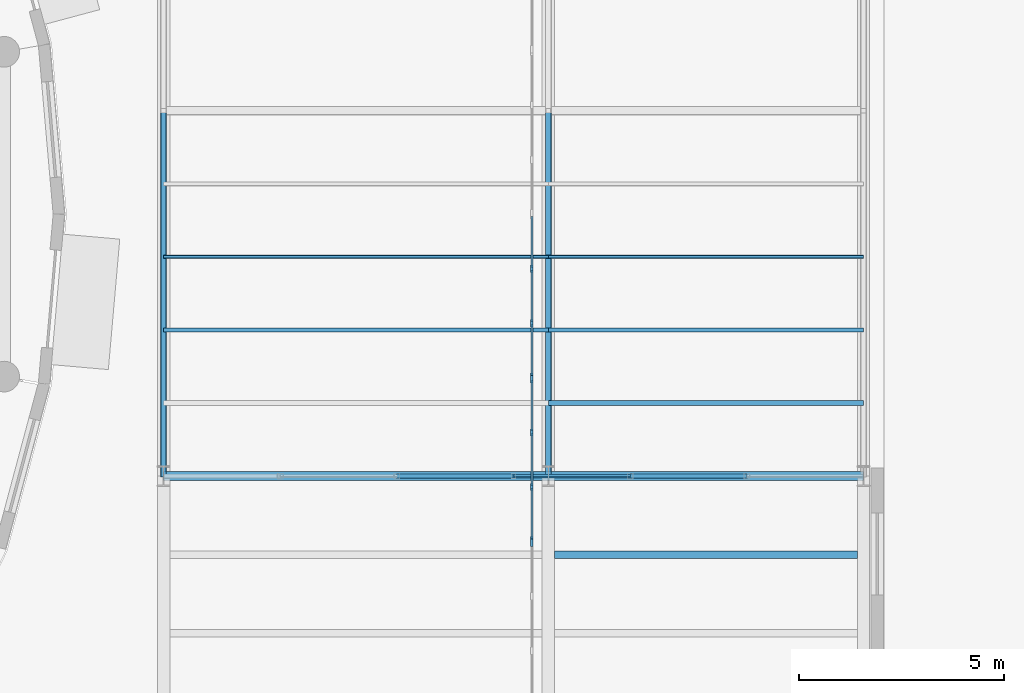
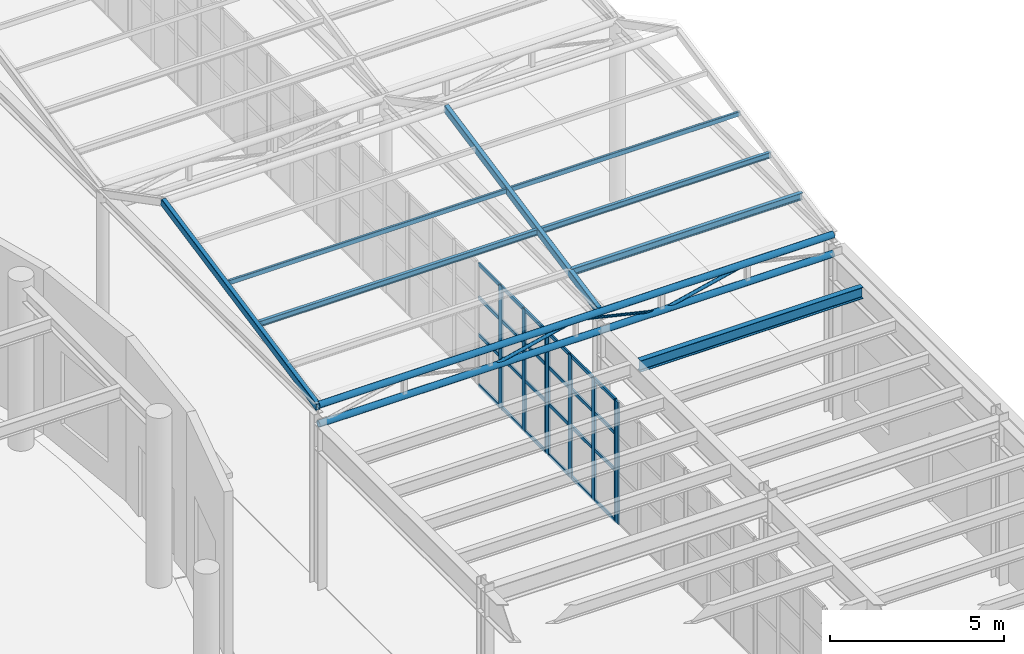
# One storey, part 39 of 118: 44 members, 1 beam, 3 elements without a shape of their own.
"""IFC4 building model written with IfcOpenShell, lengths in metres."""

from ifc_helpers import new_model, si_unit, direction, frame, origin, origin_2d, place, context, subcontext, project, spatial, rectangle, hollow_rectangle, hollow_circle, i_section, extrude, material, material_profile, profile_set, type_object, element, aggregate, save


model = new_model("IFC4")

# Units and contexts
model_context = context("Model", 3, precision=1e-05, world=origin(), true_north=direction((0.0, 1.0)))
body_context = subcontext(model_context, "Body", "Model", "MODEL_VIEW")
ifc_project = project(units=[si_unit("LENGTHUNIT", "METRE"), si_unit("AREAUNIT", "SQUARE_METRE"), si_unit("VOLUMEUNIT", "CUBIC_METRE"), si_unit("PLANEANGLEUNIT", "RADIAN"), si_unit("MASSUNIT", "GRAM", prefix="KILO")], contexts=[model_context])

# Site, building, storey
site_placement = place(None, origin())
site = spatial("IfcSite", under=ifc_project, at=site_placement, CompositionType="ELEMENT")
building_placement = place(site_placement, origin())
building = spatial("IfcBuilding", under=site, at=building_placement, Name="Kolvaren Corner Interchange", CompositionType="ELEMENT")
storey_placement = place(building_placement, origin())
storey = spatial("IfcBuildingStorey", under=building, at=storey_placement, Name="L01", CompositionType="ELEMENT", Elevation=0.0)

# Beam
ifc_material_1 = material(Name="Steel S355", Category="steel")
ifc_material_profile_1 = material_profile(ifc_material_1, i_section(OverallWidth=0.179931640625, OverallDepth=0.39990234375, WebThickness=0.008544921875, FlangeThickness=0.013427734375, FilletRadius=0.02099609375, at=origin_2d()), Name="IPE 400")
ifc_profile_set_1 = profile_set([ifc_material_profile_1], Name="Steel S355")
beam_type = type_object("IfcBeamType", Name="JS-IPE400", PredefinedType="JOIST", material=ifc_profile_set_1)
beam_placement = place(storey_placement, frame((155.949951171875, 39.679931640625, 5.5400390625), z_axis=(1.0, 0.0, 0.0), x_axis=(0.0, 1.0, 0.0)))
element("IfcBeam", 1, at=beam_placement, inside=storey, type_object=beam_type, Name="Storey L01 Composite Floor Joist 0530", PredefinedType="JOIST", context=body_context, shape_type="SweptSolid", body=[
    extrude(i_section(OverallWidth=0.179931640625, OverallDepth=0.39990234375, WebThickness=0.008544921875, FlangeThickness=0.013427734375, FilletRadius=0.02099609375, at=origin_2d()), origin(), (0.0, 0.0, 1.0), 7.400146484375),
])

# Members
ifc_material_2 = material(Name="Steel S355", Category="steel")
ifc_material_profile_2 = material_profile(ifc_material_2, hollow_circle(Radius=0.05712890625, WallThickness=0.00634765625, at=origin_2d()), Name="CHS 114.3x6.3")
ifc_profile_set_2 = profile_set([ifc_material_profile_2], Name="Steel S355")
member_type_1 = type_object("IfcMemberType", Name="MEM-BR-CHS114", PredefinedType="BRACE", material=ifc_profile_set_2)
for number, where, z_axis, x_axis, name in (
    (2, (152.10009765625, 41.60009765625, 5.64990234375), (0.973446689574, 0.0, 0.228913832167), (0.0, 1.0, 0.0), "Bus Canopy Sawtooth Roof Truss 01 Web Diagonal 03"),
    (3, (157.800048828125, 41.60009765625, 5.64990234375), (0.973446689574, 0.0, 0.228913832167), (0.0, 1.0, 0.0), "Bus Canopy Sawtooth Roof Truss 01 Web Diagonal 05"),
):
    element("IfcMember", number, at=place(storey_placement, frame(where, z_axis=z_axis, x_axis=x_axis)), inside=storey, type_object=member_type_1, Name=name, PredefinedType="BRACE", context=body_context, shape_type="SweptSolid", body=[
        extrude(hollow_circle(Radius=0.05712890625, WallThickness=0.00634765625, at=origin_2d()), origin(), (0.0, 0.0, 1.0), 2.927490234375),
    ])
ifc_material_3 = material(Name="Steel S355", Category="steel")
ifc_material_profile_3 = material_profile(ifc_material_3, hollow_circle(Radius=0.04443359375, WallThickness=0.0048828125, at=origin_2d()), Name="CHS 88.9x5.0")
ifc_profile_set_3 = profile_set([ifc_material_profile_3], Name="Steel S355")
member_type_2 = type_object("IfcMemberType", Name="MEM-BR-CHS89", PredefinedType="BRACE", material=ifc_profile_set_3)
member_1_placement = place(storey_placement, frame((154.949951171875, 41.60009765625, 6.320068359375), z_axis=(0.973451058965, 0.0, -0.228895250716), x_axis=(0.0, 1.0, 0.0)))
element("IfcMember", 4, at=member_1_placement, inside=storey, type_object=member_type_2, Name="Bus Canopy Sawtooth Roof Truss 01 Web Diagonal 04", PredefinedType="BRACE", context=body_context, shape_type="SweptSolid", body=[
    extrude(hollow_circle(Radius=0.04443359375, WallThickness=0.0048828125, at=origin_2d()), origin(), (0.0, 0.0, 1.0), 2.927734375),
])
ifc_material_4 = material(Name="Steel S355", Category="steel")
ifc_material_profile_4 = material_profile(ifc_material_4, hollow_circle(Radius=0.109619140625, WallThickness=0.010009765625, at=origin_2d()), Name="CHS 219.1x10.0")
ifc_profile_set_4 = profile_set([ifc_material_profile_4], Name="Steel S355")
member_type_3 = type_object("IfcMemberType", Name="MEM-CH-CHS219", PredefinedType="CHORD", material=ifc_profile_set_4)
for number, where, z_axis, x_axis, name in (
    (5, (146.39990234375, 41.60009765625, 5.64990234375), (1.0, 0.0, 0.0), (0.0, 1.0, 0.0), "Bus Canopy Sawtooth Roof Truss 01 Bottom Chord"),
    (6, (146.39990234375, 41.60009765625, 6.320068359375), (1.0, 0.0, 0.0), (0.0, 1.0, 0.0), "Bus Canopy Sawtooth Roof Truss 01 Top Chord"),
):
    element("IfcMember", number, at=place(storey_placement, frame(where, z_axis=z_axis, x_axis=x_axis)), inside=storey, type_object=member_type_3, Name=name, PredefinedType="CHORD", context=body_context, shape_type="SweptSolid", body=[
        extrude(hollow_circle(Radius=0.109619140625, WallThickness=0.010009765625, at=origin_2d()), origin(), (0.0, 0.0, 1.0), 17.10009765625),
    ])
ifc_material_5 = material(Name="Steel S355", Category="steel")
ifc_material_profile_5 = material_profile(ifc_material_5, i_section(OverallWidth=0.10009765625, OverallDepth=0.199951171875, WebThickness=0.005615234375, FlangeThickness=0.008544921875, FilletRadius=0.011962890625, at=origin_2d()), Name="IPE 200")
ifc_profile_set_5 = profile_set([ifc_material_profile_5], Name="Steel S355")
member_type_4 = type_object("IfcMemberType", Name="MEM-PR-IPE200", PredefinedType="PURLIN", material=ifc_profile_set_5)
member_2_placement = place(storey_placement, frame((146.39990234375, 45.171142578125, 6.97998046875), z_axis=(1.0, 0.0, 0.0), x_axis=(0.0, 1.0, 0.0)))
element("IfcMember", 7, at=member_2_placement, inside=storey, type_object=member_type_4, Name="Bus Canopy Sawtooth Purlin 01 Row 2 Bay 146", PredefinedType="PURLIN", context=body_context, shape_type="SweptSolid", body=[
    extrude(i_section(OverallWidth=0.10009765625, OverallDepth=0.199951171875, WebThickness=0.005615234375, FlangeThickness=0.008544921875, FilletRadius=0.011962890625, at=origin_2d()), origin(), (0.0, 0.0, 1.0), 9.400146484375),
])
member_3_placement = place(storey_placement, frame((155.800048828125, 45.171142578125, 6.97998046875), z_axis=(1.0, 0.0, 0.0), x_axis=(0.0, 1.0, 0.0)))
element("IfcMember", 8, at=member_3_placement, inside=storey, type_object=member_type_4, Name="Bus Canopy Sawtooth Purlin 01 Row 2 Bay 155", PredefinedType="PURLIN", context=body_context, shape_type="SweptSolid", body=[
    extrude(i_section(OverallWidth=0.10009765625, OverallDepth=0.199951171875, WebThickness=0.005615234375, FlangeThickness=0.008544921875, FilletRadius=0.011962890625, at=origin_2d()), origin(), (0.0, 0.0, 1.0), 7.699951171875),
])
ifc_material_6 = material(Name="Steel S355", Category="steel")
ifc_material_profile_6 = material_profile(ifc_material_6, i_section(OverallWidth=0.1201171875, OverallDepth=0.239990234375, WebThickness=0.006103515625, FlangeThickness=0.009765625, FilletRadius=0.014892578125, at=origin_2d()), Name="IPE 240")
ifc_profile_set_6 = profile_set([ifc_material_profile_6], Name="Steel S355")
member_type_5 = type_object("IfcMemberType", Name="MEM-PR-IPE240", PredefinedType="PURLIN", material=ifc_profile_set_6)
member_4_placement = place(storey_placement, frame((155.800048828125, 43.385498046875, 6.6201171875), z_axis=(1.0, 0.0, 0.0), x_axis=(0.0, 1.0, 0.0)))
element("IfcMember", 9, at=member_4_placement, inside=storey, type_object=member_type_5, Name="Bus Canopy Sawtooth Purlin 01 Row 1 Bay 155", PredefinedType="PURLIN", context=body_context, shape_type="SweptSolid", body=[
    extrude(i_section(OverallWidth=0.1201171875, OverallDepth=0.239990234375, WebThickness=0.006103515625, FlangeThickness=0.009765625, FilletRadius=0.014892578125, at=origin_2d()), origin(), (0.0, 0.0, 1.0), 7.699951171875),
])
ifc_material_7 = material(Name="Steel S355", Category="steel")
ifc_material_profile_7 = material_profile(ifc_material_7, hollow_rectangle(XDim=0.080078125, YDim=0.159912109375, WallThickness=0.00634765625, InnerFilletRadius=0.00634765625, OuterFilletRadius=0.0126953125, at=origin_2d()), Name="RHS 160x80x6.3")
ifc_profile_set_7 = profile_set([ifc_material_profile_7], Name="Steel S355")
member_type_6 = type_object("IfcMemberType", Name="MEM-PR-RHS160", PredefinedType="PURLIN", material=ifc_profile_set_7)
member_5_placement = place(storey_placement, frame((146.39990234375, 46.956787109375, 7.340087890625), z_axis=(1.0, 0.0, 0.0), x_axis=(0.0, 1.0, 0.0)))
element("IfcMember", 10, at=member_5_placement, inside=storey, type_object=member_type_6, Name="Bus Canopy Sawtooth Purlin 01 Row 3 Bay 146", PredefinedType="PURLIN", context=body_context, shape_type="SweptSolid", body=[
    extrude(hollow_rectangle(XDim=0.080078125, YDim=0.159912109375, WallThickness=0.00634765625, InnerFilletRadius=0.00634765625, OuterFilletRadius=0.0126953125, at=origin_2d()), origin(), (0.0, 0.0, 1.0), 9.400146484375),
])
member_6_placement = place(storey_placement, frame((155.800048828125, 46.956787109375, 7.340087890625), z_axis=(1.0, 0.0, 0.0), x_axis=(0.0, 1.0, 0.0)))
element("IfcMember", 11, at=member_6_placement, inside=storey, type_object=member_type_6, Name="Bus Canopy Sawtooth Purlin 01 Row 3 Bay 155", PredefinedType="PURLIN", context=body_context, shape_type="SweptSolid", body=[
    extrude(hollow_rectangle(XDim=0.080078125, YDim=0.159912109375, WallThickness=0.00634765625, InnerFilletRadius=0.00634765625, OuterFilletRadius=0.0126953125, at=origin_2d()), origin(), (0.0, 0.0, 1.0), 7.699951171875),
])
ifc_material_8 = material(Name="Steel S355", Category="steel")
ifc_material_profile_8 = material_profile(ifc_material_8, hollow_rectangle(XDim=0.14990234375, YDim=0.25, WallThickness=0.010009765625, InnerFilletRadius=0.010009765625, OuterFilletRadius=0.02001953125, at=origin_2d()), Name="RHS 250x150x10.0")
ifc_profile_set_8 = profile_set([ifc_material_profile_8], Name="Steel S355")
member_type_7 = type_object("IfcMemberType", Name="MEM-RF-RHS250", PredefinedType="RAFTER", material=ifc_profile_set_8)
for number, where, z_axis, x_axis, name in (
    (12, (146.39990234375, 41.60009765625, 6.25), (0.0, 0.980274310693, 0.197641786561), (-1.0, 0.0, 0.0), "Bus Canopy Sawtooth South Rafter 01 Line 1"),
    (13, (155.800048828125, 41.60009765625, 6.25), (0.0, 0.980274310693, 0.197641786561), (-1.0, 0.0, 0.0), "Bus Canopy Sawtooth South Rafter 01 Line 2"),
):
    element("IfcMember", number, at=place(storey_placement, frame(where, z_axis=z_axis, x_axis=x_axis)), inside=storey, type_object=member_type_7, Name=name, PredefinedType="RAFTER", context=body_context, shape_type="SweptSolid", body=[
        extrude(hollow_rectangle(XDim=0.14990234375, YDim=0.25, WallThickness=0.010009765625, InnerFilletRadius=0.010009765625, OuterFilletRadius=0.02001953125, at=origin_2d()), origin(), (0.0, 0.0, 1.0), 9.107666015625),
    ])

# Curtain wall, member
ifc_material_9 = material(Name="Unitised Aluminium and Solar-Control Glass Curtain Wall", Category="aluminium")
curtain_wall_type = type_object("IfcCurtainWallType", Name="CW-V4-BOARD", PredefinedType="NOTDEFINED", material=ifc_material_9)
curtain_wall_1_placement = place(storey_placement, origin())
curtain_wall_1 = element("IfcCurtainWall", 14, at=curtain_wall_1_placement, inside=storey, type_object=curtain_wall_type, Name="Bus Island East Boarding Curtain Wall Bay 03", PredefinedType="NOTDEFINED")
ifc_material_10 = material(Name="Anodised Aluminium Framing", Category="aluminium")
ifc_material_profile_9 = material_profile(ifc_material_10, rectangle(XDim=0.06005859375, YDim=0.179931640625, at=origin_2d()), Name="ALU 60x180")
ifc_profile_set_9 = profile_set([ifc_material_profile_9], Name="Anodised Aluminium Framing")
member_type_8 = type_object("IfcMemberType", Name="MUL-ALU60x180", PredefinedType="MULLION", material=ifc_profile_set_9)
member_7_placement = place(storey_placement, frame((155.39990234375, 39.969970703125, 0.0), z_axis=(0.0, 0.0, 1.0), x_axis=(-1.0, 0.0, 0.0)))
member_7 = element("IfcMember", 15, at=member_7_placement, type_object=member_type_8, Name="CW-140 mullion 4", PredefinedType="MULLION", context=body_context, shape_type="SweptSolid", body=[
    extrude(rectangle(XDim=0.06005859375, YDim=0.179931640625, at=origin_2d()), origin(), (0.0, 0.0, 1.0), 4.300048828125),
])
aggregate(curtain_wall_1, [member_7])

# Curtain wall, members
curtain_wall_2_placement = place(storey_placement, origin())
curtain_wall_2 = element("IfcCurtainWall", 16, at=curtain_wall_2_placement, inside=storey, type_object=curtain_wall_type, Name="Bus Island East Boarding Curtain Wall Bay 04", PredefinedType="NOTDEFINED")
member_8_placement = place(storey_placement, frame((155.39990234375, 40.030029296875, 0.0), z_axis=(0.0, 0.0, 1.0), x_axis=(-1.0, 0.0, 0.0)))
member_8 = element("IfcMember", 17, at=member_8_placement, type_object=member_type_8, Name="CW-141 mullion 1", PredefinedType="MULLION", context=body_context, shape_type="SweptSolid", body=[
    extrude(rectangle(XDim=0.06005859375, YDim=0.179931640625, at=origin_2d()), origin(), (0.0, 0.0, 1.0), 4.300048828125),
])
member_9_placement = place(storey_placement, frame((155.39990234375, 41.333251953125, 0.0), z_axis=(0.0, 0.0, 1.0), x_axis=(-1.0, 0.0, 0.0)))
member_9 = element("IfcMember", 18, at=member_9_placement, type_object=member_type_8, Name="CW-141 mullion 2", PredefinedType="MULLION", context=body_context, shape_type="SweptSolid", body=[
    extrude(rectangle(XDim=0.06005859375, YDim=0.179931640625, at=origin_2d()), origin(), (0.0, 0.0, 1.0), 4.300048828125),
])
member_10_placement = place(storey_placement, frame((155.39990234375, 42.666748046875, 0.0), z_axis=(0.0, 0.0, 1.0), x_axis=(-1.0, 0.0, 0.0)))
member_10 = element("IfcMember", 19, at=member_10_placement, type_object=member_type_8, Name="CW-141 mullion 3", PredefinedType="MULLION", context=body_context, shape_type="SweptSolid", body=[
    extrude(rectangle(XDim=0.06005859375, YDim=0.179931640625, at=origin_2d()), origin(), (0.0, 0.0, 1.0), 4.300048828125),
])
member_11_placement = place(storey_placement, frame((155.39990234375, 43.969970703125, 0.0), z_axis=(0.0, 0.0, 1.0), x_axis=(-1.0, 0.0, 0.0)))
member_11 = element("IfcMember", 20, at=member_11_placement, type_object=member_type_8, Name="CW-141 mullion 4", PredefinedType="MULLION", context=body_context, shape_type="SweptSolid", body=[
    extrude(rectangle(XDim=0.06005859375, YDim=0.179931640625, at=origin_2d()), origin(), (0.0, 0.0, 1.0), 4.300048828125),
])

curtain_wall_3_placement = place(storey_placement, origin())
curtain_wall_3 = element("IfcCurtainWall", 21, at=curtain_wall_3_placement, inside=storey, type_object=curtain_wall_type, Name="Bus Island East Boarding Curtain Wall Bay 05", PredefinedType="NOTDEFINED")
member_12_placement = place(storey_placement, frame((155.39990234375, 44.030029296875, 0.0), z_axis=(0.0, 0.0, 1.0), x_axis=(-1.0, 0.0, 0.0)))
member_12 = element("IfcMember", 22, at=member_12_placement, type_object=member_type_8, Name="CW-142 mullion 1", PredefinedType="MULLION", context=body_context, shape_type="SweptSolid", body=[
    extrude(rectangle(XDim=0.06005859375, YDim=0.179931640625, at=origin_2d()), origin(), (0.0, 0.0, 1.0), 4.300048828125),
])
member_13_placement = place(storey_placement, frame((155.39990234375, 45.333251953125, 0.0), z_axis=(0.0, 0.0, 1.0), x_axis=(-1.0, 0.0, 0.0)))
member_13 = element("IfcMember", 23, at=member_13_placement, type_object=member_type_8, Name="CW-142 mullion 2", PredefinedType="MULLION", context=body_context, shape_type="SweptSolid", body=[
    extrude(rectangle(XDim=0.06005859375, YDim=0.179931640625, at=origin_2d()), origin(), (0.0, 0.0, 1.0), 4.300048828125),
])
member_14_placement = place(storey_placement, frame((155.39990234375, 46.666748046875, 0.0), z_axis=(0.0, 0.0, 1.0), x_axis=(-1.0, 0.0, 0.0)))
member_14 = element("IfcMember", 24, at=member_14_placement, type_object=member_type_8, Name="CW-142 mullion 3", PredefinedType="MULLION", context=body_context, shape_type="SweptSolid", body=[
    extrude(rectangle(XDim=0.06005859375, YDim=0.179931640625, at=origin_2d()), origin(), (0.0, 0.0, 1.0), 4.300048828125),
])

# Member
ifc_material_11 = material(Name="Anodised Aluminium Framing", Category="aluminium")
ifc_material_profile_10 = material_profile(ifc_material_11, rectangle(XDim=0.054931640625, YDim=0.1201171875, at=origin_2d()), Name="ALU 55x120")
ifc_profile_set_10 = profile_set([ifc_material_profile_10], Name="Anodised Aluminium Framing")
member_type_9 = type_object("IfcMemberType", Name="TRN-ALU55x120", PredefinedType="USERDEFINED", material=ifc_profile_set_10)
member_15_placement = place(storey_placement, frame((155.39990234375, 40.06005859375, 0.027587890625), z_axis=(0.0, 1.0, 0.0), x_axis=(-1.0, 0.0, 0.0)))
member_15 = element("IfcMember", 25, at=member_15_placement, type_object=member_type_9, Name="CW-141 transom 1.1", ObjectType="TRANSOM", PredefinedType="USERDEFINED", context=body_context, shape_type="SweptSolid", body=[
    extrude(rectangle(XDim=0.054931640625, YDim=0.1201171875, at=origin_2d()), origin(), (0.0, 0.0, 1.0), 1.2431640625),
])

member_16_placement = place(storey_placement, frame((155.39990234375, 40.06005859375, 1.800048828125), z_axis=(0.0, 1.0, 0.0), x_axis=(-1.0, 0.0, 0.0)))
member_16 = element("IfcMember", 26, at=member_16_placement, type_object=member_type_9, Name="CW-141 transom 1.2", ObjectType="TRANSOM", PredefinedType="USERDEFINED", context=body_context, shape_type="SweptSolid", body=[
    extrude(rectangle(XDim=0.054931640625, YDim=0.1201171875, at=origin_2d()), origin(), (0.0, 0.0, 1.0), 1.2431640625),
])

member_17_placement = place(storey_placement, frame((155.39990234375, 40.06005859375, 3.10009765625), z_axis=(0.0, 1.0, 0.0), x_axis=(-1.0, 0.0, 0.0)))
member_17 = element("IfcMember", 27, at=member_17_placement, type_object=member_type_9, Name="CW-141 transom 1.3", ObjectType="TRANSOM", PredefinedType="USERDEFINED", context=body_context, shape_type="SweptSolid", body=[
    extrude(rectangle(XDim=0.054931640625, YDim=0.1201171875, at=origin_2d()), origin(), (0.0, 0.0, 1.0), 1.2431640625),
])

member_18_placement = place(storey_placement, frame((155.39990234375, 40.06005859375, 4.2724609375), z_axis=(0.0, 1.0, 0.0), x_axis=(-1.0, 0.0, 0.0)))
member_18 = element("IfcMember", 28, at=member_18_placement, type_object=member_type_9, Name="CW-141 transom 1.4", ObjectType="TRANSOM", PredefinedType="USERDEFINED", context=body_context, shape_type="SweptSolid", body=[
    extrude(rectangle(XDim=0.054931640625, YDim=0.1201171875, at=origin_2d()), origin(), (0.0, 0.0, 1.0), 1.2431640625),
])

member_19_placement = place(storey_placement, frame((155.39990234375, 41.36328125, 0.027587890625), z_axis=(0.0, 1.0, 0.0), x_axis=(-1.0, 0.0, 0.0)))
member_19 = element("IfcMember", 29, at=member_19_placement, type_object=member_type_9, Name="CW-141 transom 2.1", ObjectType="TRANSOM", PredefinedType="USERDEFINED", context=body_context, shape_type="SweptSolid", body=[
    extrude(rectangle(XDim=0.054931640625, YDim=0.1201171875, at=origin_2d()), origin(), (0.0, 0.0, 1.0), 1.2734375),
])

member_20_placement = place(storey_placement, frame((155.39990234375, 41.36328125, 1.800048828125), z_axis=(0.0, 1.0, 0.0), x_axis=(-1.0, 0.0, 0.0)))
member_20 = element("IfcMember", 30, at=member_20_placement, type_object=member_type_9, Name="CW-141 transom 2.2", ObjectType="TRANSOM", PredefinedType="USERDEFINED", context=body_context, shape_type="SweptSolid", body=[
    extrude(rectangle(XDim=0.054931640625, YDim=0.1201171875, at=origin_2d()), origin(), (0.0, 0.0, 1.0), 1.2734375),
])

member_21_placement = place(storey_placement, frame((155.39990234375, 41.36328125, 3.10009765625), z_axis=(0.0, 1.0, 0.0), x_axis=(-1.0, 0.0, 0.0)))
member_21 = element("IfcMember", 31, at=member_21_placement, type_object=member_type_9, Name="CW-141 transom 2.3", ObjectType="TRANSOM", PredefinedType="USERDEFINED", context=body_context, shape_type="SweptSolid", body=[
    extrude(rectangle(XDim=0.054931640625, YDim=0.1201171875, at=origin_2d()), origin(), (0.0, 0.0, 1.0), 1.2734375),
])

member_22_placement = place(storey_placement, frame((155.39990234375, 41.36328125, 4.2724609375), z_axis=(0.0, 1.0, 0.0), x_axis=(-1.0, 0.0, 0.0)))
member_22 = element("IfcMember", 32, at=member_22_placement, type_object=member_type_9, Name="CW-141 transom 2.4", ObjectType="TRANSOM", PredefinedType="USERDEFINED", context=body_context, shape_type="SweptSolid", body=[
    extrude(rectangle(XDim=0.054931640625, YDim=0.1201171875, at=origin_2d()), origin(), (0.0, 0.0, 1.0), 1.2734375),
])

member_23_placement = place(storey_placement, frame((155.39990234375, 42.69677734375, 0.027587890625), z_axis=(0.0, 1.0, 0.0), x_axis=(-1.0, 0.0, 0.0)))
member_23 = element("IfcMember", 33, at=member_23_placement, type_object=member_type_9, Name="CW-141 transom 3.1", ObjectType="TRANSOM", PredefinedType="USERDEFINED", context=body_context, shape_type="SweptSolid", body=[
    extrude(rectangle(XDim=0.054931640625, YDim=0.1201171875, at=origin_2d()), origin(), (0.0, 0.0, 1.0), 1.2431640625),
])

member_24_placement = place(storey_placement, frame((155.39990234375, 42.69677734375, 1.800048828125), z_axis=(0.0, 1.0, 0.0), x_axis=(-1.0, 0.0, 0.0)))
member_24 = element("IfcMember", 34, at=member_24_placement, type_object=member_type_9, Name="CW-141 transom 3.2", ObjectType="TRANSOM", PredefinedType="USERDEFINED", context=body_context, shape_type="SweptSolid", body=[
    extrude(rectangle(XDim=0.054931640625, YDim=0.1201171875, at=origin_2d()), origin(), (0.0, 0.0, 1.0), 1.2431640625),
])

member_25_placement = place(storey_placement, frame((155.39990234375, 42.69677734375, 3.10009765625), z_axis=(0.0, 1.0, 0.0), x_axis=(-1.0, 0.0, 0.0)))
member_25 = element("IfcMember", 35, at=member_25_placement, type_object=member_type_9, Name="CW-141 transom 3.3", ObjectType="TRANSOM", PredefinedType="USERDEFINED", context=body_context, shape_type="SweptSolid", body=[
    extrude(rectangle(XDim=0.054931640625, YDim=0.1201171875, at=origin_2d()), origin(), (0.0, 0.0, 1.0), 1.2431640625),
])

member_26_placement = place(storey_placement, frame((155.39990234375, 42.69677734375, 4.2724609375), z_axis=(0.0, 1.0, 0.0), x_axis=(-1.0, 0.0, 0.0)))
member_26 = element("IfcMember", 36, at=member_26_placement, type_object=member_type_9, Name="CW-141 transom 3.4", ObjectType="TRANSOM", PredefinedType="USERDEFINED", context=body_context, shape_type="SweptSolid", body=[
    extrude(rectangle(XDim=0.054931640625, YDim=0.1201171875, at=origin_2d()), origin(), (0.0, 0.0, 1.0), 1.2431640625),
])

aggregate(curtain_wall_2, [member_8, member_9, member_10, member_11, member_15, member_16, member_17, member_18, member_19, member_20, member_21, member_22, member_23, member_24, member_25, member_26])

member_27_placement = place(storey_placement, frame((155.39990234375, 44.06005859375, 0.027587890625), z_axis=(0.0, 1.0, 0.0), x_axis=(-1.0, 0.0, 0.0)))
member_27 = element("IfcMember", 37, at=member_27_placement, type_object=member_type_9, Name="CW-142 transom 1.1", ObjectType="TRANSOM", PredefinedType="USERDEFINED", context=body_context, shape_type="SweptSolid", body=[
    extrude(rectangle(XDim=0.054931640625, YDim=0.1201171875, at=origin_2d()), origin(), (0.0, 0.0, 1.0), 1.2431640625),
])

member_28_placement = place(storey_placement, frame((155.39990234375, 44.06005859375, 1.800048828125), z_axis=(0.0, 1.0, 0.0), x_axis=(-1.0, 0.0, 0.0)))
member_28 = element("IfcMember", 38, at=member_28_placement, type_object=member_type_9, Name="CW-142 transom 1.2", ObjectType="TRANSOM", PredefinedType="USERDEFINED", context=body_context, shape_type="SweptSolid", body=[
    extrude(rectangle(XDim=0.054931640625, YDim=0.1201171875, at=origin_2d()), origin(), (0.0, 0.0, 1.0), 1.2431640625),
])

member_29_placement = place(storey_placement, frame((155.39990234375, 44.06005859375, 3.10009765625), z_axis=(0.0, 1.0, 0.0), x_axis=(-1.0, 0.0, 0.0)))
member_29 = element("IfcMember", 39, at=member_29_placement, type_object=member_type_9, Name="CW-142 transom 1.3", ObjectType="TRANSOM", PredefinedType="USERDEFINED", context=body_context, shape_type="SweptSolid", body=[
    extrude(rectangle(XDim=0.054931640625, YDim=0.1201171875, at=origin_2d()), origin(), (0.0, 0.0, 1.0), 1.2431640625),
])

member_30_placement = place(storey_placement, frame((155.39990234375, 44.06005859375, 4.2724609375), z_axis=(0.0, 1.0, 0.0), x_axis=(-1.0, 0.0, 0.0)))
member_30 = element("IfcMember", 40, at=member_30_placement, type_object=member_type_9, Name="CW-142 transom 1.4", ObjectType="TRANSOM", PredefinedType="USERDEFINED", context=body_context, shape_type="SweptSolid", body=[
    extrude(rectangle(XDim=0.054931640625, YDim=0.1201171875, at=origin_2d()), origin(), (0.0, 0.0, 1.0), 1.2431640625),
])

member_31_placement = place(storey_placement, frame((155.39990234375, 45.36328125, 0.027587890625), z_axis=(0.0, 1.0, 0.0), x_axis=(-1.0, 0.0, 0.0)))
member_31 = element("IfcMember", 41, at=member_31_placement, type_object=member_type_9, Name="CW-142 transom 2.1", ObjectType="TRANSOM", PredefinedType="USERDEFINED", context=body_context, shape_type="SweptSolid", body=[
    extrude(rectangle(XDim=0.054931640625, YDim=0.1201171875, at=origin_2d()), origin(), (0.0, 0.0, 1.0), 1.2734375),
])

member_32_placement = place(storey_placement, frame((155.39990234375, 45.36328125, 1.800048828125), z_axis=(0.0, 1.0, 0.0), x_axis=(-1.0, 0.0, 0.0)))
member_32 = element("IfcMember", 42, at=member_32_placement, type_object=member_type_9, Name="CW-142 transom 2.2", ObjectType="TRANSOM", PredefinedType="USERDEFINED", context=body_context, shape_type="SweptSolid", body=[
    extrude(rectangle(XDim=0.054931640625, YDim=0.1201171875, at=origin_2d()), origin(), (0.0, 0.0, 1.0), 1.2734375),
])

member_33_placement = place(storey_placement, frame((155.39990234375, 45.36328125, 3.10009765625), z_axis=(0.0, 1.0, 0.0), x_axis=(-1.0, 0.0, 0.0)))
member_33 = element("IfcMember", 43, at=member_33_placement, type_object=member_type_9, Name="CW-142 transom 2.3", ObjectType="TRANSOM", PredefinedType="USERDEFINED", context=body_context, shape_type="SweptSolid", body=[
    extrude(rectangle(XDim=0.054931640625, YDim=0.1201171875, at=origin_2d()), origin(), (0.0, 0.0, 1.0), 1.2734375),
])

member_34_placement = place(storey_placement, frame((155.39990234375, 45.36328125, 4.2724609375), z_axis=(0.0, 1.0, 0.0), x_axis=(-1.0, 0.0, 0.0)))
member_34 = element("IfcMember", 44, at=member_34_placement, type_object=member_type_9, Name="CW-142 transom 2.4", ObjectType="TRANSOM", PredefinedType="USERDEFINED", context=body_context, shape_type="SweptSolid", body=[
    extrude(rectangle(XDim=0.054931640625, YDim=0.1201171875, at=origin_2d()), origin(), (0.0, 0.0, 1.0), 1.2734375),
])

member_35_placement = place(storey_placement, frame((155.39990234375, 46.69677734375, 0.027587890625), z_axis=(0.0, 1.0, 0.0), x_axis=(-1.0, 0.0, 0.0)))
member_35 = element("IfcMember", 45, at=member_35_placement, type_object=member_type_9, Name="CW-142 transom 3.1", ObjectType="TRANSOM", PredefinedType="USERDEFINED", context=body_context, shape_type="SweptSolid", body=[
    extrude(rectangle(XDim=0.054931640625, YDim=0.1201171875, at=origin_2d()), origin(), (0.0, 0.0, 1.0), 1.2431640625),
])

member_36_placement = place(storey_placement, frame((155.39990234375, 46.69677734375, 1.800048828125), z_axis=(0.0, 1.0, 0.0), x_axis=(-1.0, 0.0, 0.0)))
member_36 = element("IfcMember", 46, at=member_36_placement, type_object=member_type_9, Name="CW-142 transom 3.2", ObjectType="TRANSOM", PredefinedType="USERDEFINED", context=body_context, shape_type="SweptSolid", body=[
    extrude(rectangle(XDim=0.054931640625, YDim=0.1201171875, at=origin_2d()), origin(), (0.0, 0.0, 1.0), 1.2431640625),
])

member_37_placement = place(storey_placement, frame((155.39990234375, 46.69677734375, 3.10009765625), z_axis=(0.0, 1.0, 0.0), x_axis=(-1.0, 0.0, 0.0)))
member_37 = element("IfcMember", 47, at=member_37_placement, type_object=member_type_9, Name="CW-142 transom 3.3", ObjectType="TRANSOM", PredefinedType="USERDEFINED", context=body_context, shape_type="SweptSolid", body=[
    extrude(rectangle(XDim=0.054931640625, YDim=0.1201171875, at=origin_2d()), origin(), (0.0, 0.0, 1.0), 1.2431640625),
])

member_38_placement = place(storey_placement, frame((155.39990234375, 46.69677734375, 4.2724609375), z_axis=(0.0, 1.0, 0.0), x_axis=(-1.0, 0.0, 0.0)))
member_38 = element("IfcMember", 48, at=member_38_placement, type_object=member_type_9, Name="CW-142 transom 3.4", ObjectType="TRANSOM", PredefinedType="USERDEFINED", context=body_context, shape_type="SweptSolid", body=[
    extrude(rectangle(XDim=0.054931640625, YDim=0.1201171875, at=origin_2d()), origin(), (0.0, 0.0, 1.0), 1.2431640625),
])

aggregate(curtain_wall_3, [member_12, member_13, member_14, member_27, member_28, member_29, member_30, member_31, member_32, member_33, member_34, member_35, member_36, member_37, member_38])

save(model, "model.ifc")
